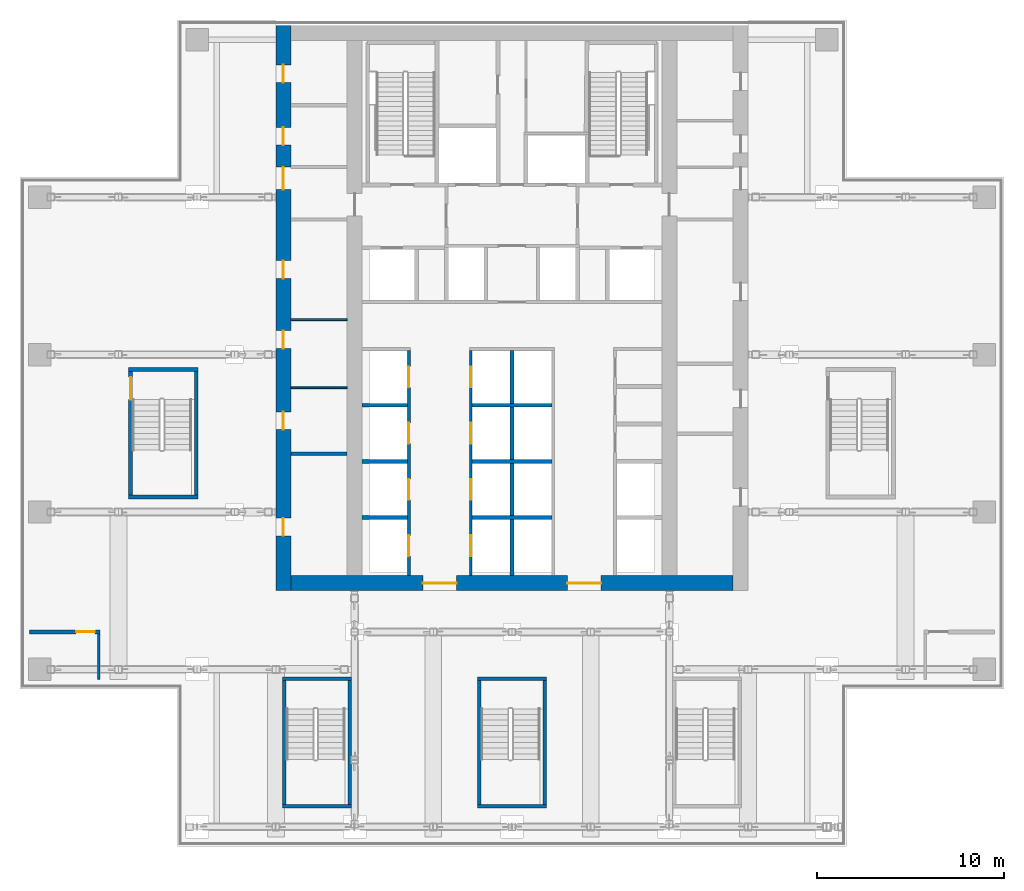
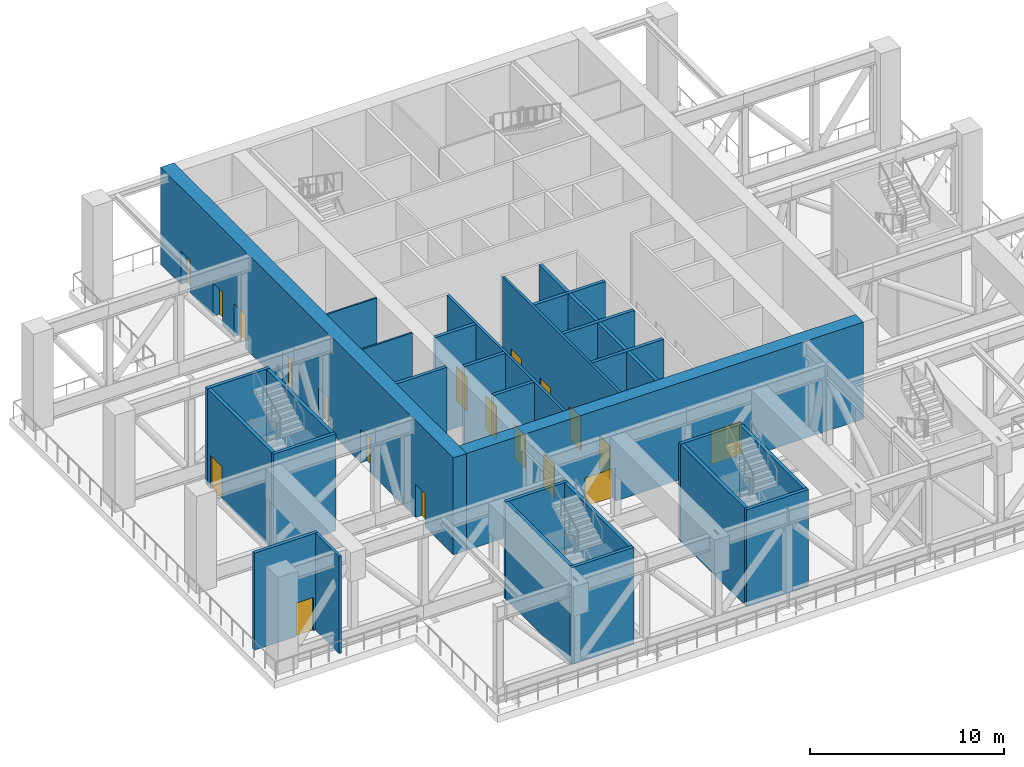
# One storey, part 16 of 23: 28 walls, 19 doors, 19 openings.
"""IFC4 building model written with IfcOpenShell, lengths in metres."""

from ifc_helpers import new_model, si_unit, direction, frame, frame_2d, origin, place, context, subcontext, project, spatial, rectangle, extrude, material, layer, layer_set, type_object, element, fill, save


model = new_model("IFC4")

# Units and contexts
model_context = context("Model", 3, precision=1e-05, world=origin(), true_north=direction((0.0, 1.0)))
body_context = subcontext(model_context, "Body", "Model", "MODEL_VIEW")
ifc_project = project(units=[si_unit("LENGTHUNIT", "METRE"), si_unit("AREAUNIT", "SQUARE_METRE"), si_unit("VOLUMEUNIT", "CUBIC_METRE"), si_unit("PLANEANGLEUNIT", "RADIAN"), si_unit("MASSUNIT", "GRAM", prefix="KILO")], contexts=[model_context])

# Site, building, storey
site_placement = place(None, origin())
site = spatial("IfcSite", under=ifc_project, at=site_placement, CompositionType="ELEMENT")
building_placement = place(site_placement, origin())
building = spatial("IfcBuilding", under=site, at=building_placement, Name="Vermilion Ogive Tower", CompositionType="ELEMENT")
storey_placement = place(building_placement, frame((0.0, 0.0, 121.800048828125)))
storey = spatial("IfcBuildingStorey", under=building, at=storey_placement, Name="L31", CompositionType="ELEMENT", Elevation=121.800048828125)

# Wall, openings, doors
ifc_material_1 = material(Name="Concrete B80", Category="concrete")
ifc_layer_1 = layer(ifc_material_1, 0.800048828125)
ifc_layer_set_1 = layer_set([ifc_layer_1], Name="Core wall 800 B80")
wall_type_1 = type_object("IfcWallType", Name="Core wall 800 B80", PredefinedType="SHEAR", material=ifc_layer_set_1)
wall_1_placement = place(storey_placement, frame((-12.199951171875, -8.39990234375, 0.0), z_axis=(0.0, 0.0, 1.0), x_axis=(0.0, 1.0, 0.0)))
wall_1 = element("IfcWall", 1, at=wall_1_placement, inside=storey, type_object=wall_type_1, Name="L31-CORE-W", PredefinedType="SHEAR", context=body_context, shape_type="SweptSolid", body=[
    extrude(rectangle(XDim=30.14990234375, YDim=0.800048828125, at=frame_2d((15.074951171875, 0.0))), origin(), (0.0, 0.0, 1.0), 6.099853515625),
])
opening_1_placement = place(wall_1_placement, frame((2.928466796875, 0.0, 0.0)))
opening_1 = element("IfcOpeningElement", 2, at=opening_1_placement, cuts=wall_1, Name="Opening DAT001", PredefinedType="OPENING", context=body_context, shape_type="SweptSolid", body=[
    extrude(rectangle(XDim=0.949951171875, YDim=2.10009765625, at=frame_2d((0.47509765625, 1.050048828125))), frame((0.0, 0.409912109375, 0.0), z_axis=(0.0, -1.0, 0.0), x_axis=(1.0, 0.0, 0.0)), (0.0, 0.0, 1.0), 0.820068359375),
])
opening_2_placement = place(wall_1_placement, frame((8.593505859375, 0.0, 0.0)))
opening_2 = element("IfcOpeningElement", 3, at=opening_2_placement, cuts=wall_1, Name="Opening DAT002", PredefinedType="OPENING", context=body_context, shape_type="SweptSolid", body=[
    extrude(rectangle(XDim=0.949951171875, YDim=2.10009765625, at=frame_2d((0.47509765625, 1.050048828125))), frame((0.0, 0.409912109375, 0.0), z_axis=(0.0, -1.0, 0.0), x_axis=(1.0, 0.0, 0.0)), (0.0, 0.0, 1.0), 0.820068359375),
])
opening_3_placement = place(wall_1_placement, frame((12.9208984375, 0.0, 0.0)))
opening_3 = element("IfcOpeningElement", 4, at=opening_3_placement, cuts=wall_1, Name="Opening DAT003", PredefinedType="OPENING", context=body_context, shape_type="SweptSolid", body=[
    extrude(rectangle(XDim=0.949951171875, YDim=2.10009765625, at=frame_2d((0.47509765625, 1.050048828125))), frame((0.0, 0.409912109375, 0.0), z_axis=(0.0, -1.0, 0.0), x_axis=(1.0, 0.0, 0.0)), (0.0, 0.0, 1.0), 0.820068359375),
])
opening_4_placement = place(wall_1_placement, frame((16.655517578125, 0.0, 0.0)))
opening_4 = element("IfcOpeningElement", 5, at=opening_4_placement, cuts=wall_1, Name="Opening DAT004", PredefinedType="OPENING", context=body_context, shape_type="SweptSolid", body=[
    extrude(rectangle(XDim=0.949951171875, YDim=2.10009765625, at=frame_2d((0.47509765625, 1.050048828125))), frame((0.0, 0.409912109375, 0.0), z_axis=(0.0, -1.0, 0.0), x_axis=(1.0, 0.0, 0.0)), (0.0, 0.0, 1.0), 0.820068359375),
])
opening_5_placement = place(wall_1_placement, frame((23.777099609375, 0.0, 0.0)))
opening_5 = element("IfcOpeningElement", 6, at=opening_5_placement, cuts=wall_1, Name="Opening DAT005", PredefinedType="OPENING", context=body_context, shape_type="SweptSolid", body=[
    extrude(rectangle(XDim=0.949951171875, YDim=2.10009765625, at=frame_2d((0.47509765625, 1.050048828125))), frame((0.0, 0.409912109375, 0.0), z_axis=(0.0, -1.0, 0.0), x_axis=(1.0, 0.0, 0.0)), (0.0, 0.0, 1.0), 0.820068359375),
])
opening_6_placement = place(wall_1_placement, frame((27.102294921875, 0.0, 0.0)))
opening_6 = element("IfcOpeningElement", 7, at=opening_6_placement, cuts=wall_1, Name="Opening DAT006", PredefinedType="OPENING", context=body_context, shape_type="SweptSolid", body=[
    extrude(rectangle(XDim=0.949951171875, YDim=2.10009765625, at=frame_2d((0.47509765625, 1.050048828125))), frame((0.0, 0.409912109375, 0.0), z_axis=(0.0, -1.0, 0.0), x_axis=(1.0, 0.0, 0.0)), (0.0, 0.0, 1.0), 0.820068359375),
])
opening_7_placement = place(wall_1_placement, frame((21.39990234375, 0.0, 0.0)))
opening_7 = element("IfcOpeningElement", 8, at=opening_7_placement, cuts=wall_1, Name="Opening DBV001", PredefinedType="OPENING", context=body_context, shape_type="SweptSolid", body=[
    extrude(rectangle(XDim=1.199951171875, YDim=2.10009765625, at=frame_2d((0.60009765625, 1.050048828125))), frame((0.0, 0.409912109375, 0.0), z_axis=(0.0, -1.0, 0.0), x_axis=(1.0, 0.0, 0.0)), (0.0, 0.0, 1.0), 0.820068359375),
])
ifc_material_2 = material(Name="Timber door leaf", Category="wood")
door_type_1 = type_object("IfcDoorType", Name="Link door 1200 x 2100 FD60S", OperationType="SINGLE_SWING_LEFT", PredefinedType="DOOR", material=ifc_material_2)
door_1_placement = place(opening_7_placement, origin())
door_1 = element("IfcDoor", 9, at=door_1_placement, inside=storey, type_object=door_type_1, Name="L31-CKW-XL", OperationType="SINGLE_SWING_LEFT", OverallHeight=2.10009765625, OverallWidth=1.199951171875, PredefinedType="DOOR", context=body_context, shape_type="SweptSolid", body=[
    extrude(rectangle(XDim=1.199951171875, YDim=2.10009765625, at=frame_2d((0.60009765625, 1.050048828125))), frame((0.0, 0.02490234375, 0.0), z_axis=(0.0, -1.0, 0.0), x_axis=(1.0, 0.0, 0.0)), (0.0, 0.0, 1.0), 0.050048828125),
])
fill(opening_7, door_1)
ifc_material_3 = material(Name="Timber door leaf", Category="wood")
door_type_2 = type_object("IfcDoorType", Name="Service door 950 x 2100 FD60", OperationType="SINGLE_SWING_LEFT", PredefinedType="DOOR", material=ifc_material_3)
door_2_placement = place(opening_1_placement, origin())
door_2 = element("IfcDoor", 10, at=door_2_placement, inside=storey, type_object=door_type_2, Name="L31-CKW-XR0", OperationType="SINGLE_SWING_LEFT", OverallHeight=2.10009765625, OverallWidth=0.949951171875, PredefinedType="DOOR", context=body_context, shape_type="SweptSolid", body=[
    extrude(rectangle(XDim=0.949951171875, YDim=2.10009765625, at=frame_2d((0.47509765625, 1.050048828125))), frame((0.0, 0.02490234375, 0.0), z_axis=(0.0, -1.0, 0.0), x_axis=(1.0, 0.0, 0.0)), (0.0, 0.0, 1.0), 0.050048828125),
])
fill(opening_1, door_2)
door_3_placement = place(opening_2_placement, origin())
door_3 = element("IfcDoor", 11, at=door_3_placement, inside=storey, type_object=door_type_2, Name="L31-CKW-XR1", OperationType="SINGLE_SWING_LEFT", OverallHeight=2.10009765625, OverallWidth=0.949951171875, PredefinedType="DOOR", context=body_context, shape_type="SweptSolid", body=[
    extrude(rectangle(XDim=0.949951171875, YDim=2.10009765625, at=frame_2d((0.47509765625, 1.050048828125))), frame((0.0, 0.02490234375, 0.0), z_axis=(0.0, -1.0, 0.0), x_axis=(1.0, 0.0, 0.0)), (0.0, 0.0, 1.0), 0.050048828125),
])
fill(opening_2, door_3)
door_4_placement = place(opening_3_placement, origin())
door_4 = element("IfcDoor", 12, at=door_4_placement, inside=storey, type_object=door_type_2, Name="L31-CKW-XR2", OperationType="SINGLE_SWING_LEFT", OverallHeight=2.10009765625, OverallWidth=0.949951171875, PredefinedType="DOOR", context=body_context, shape_type="SweptSolid", body=[
    extrude(rectangle(XDim=0.949951171875, YDim=2.10009765625, at=frame_2d((0.47509765625, 1.050048828125))), frame((0.0, 0.02490234375, 0.0), z_axis=(0.0, -1.0, 0.0), x_axis=(1.0, 0.0, 0.0)), (0.0, 0.0, 1.0), 0.050048828125),
])
fill(opening_3, door_4)
door_5_placement = place(opening_4_placement, origin())
door_5 = element("IfcDoor", 13, at=door_5_placement, inside=storey, type_object=door_type_2, Name="L31-CKW-XR3", OperationType="SINGLE_SWING_LEFT", OverallHeight=2.10009765625, OverallWidth=0.949951171875, PredefinedType="DOOR", context=body_context, shape_type="SweptSolid", body=[
    extrude(rectangle(XDim=0.949951171875, YDim=2.10009765625, at=frame_2d((0.47509765625, 1.050048828125))), frame((0.0, 0.02490234375, 0.0), z_axis=(0.0, -1.0, 0.0), x_axis=(1.0, 0.0, 0.0)), (0.0, 0.0, 1.0), 0.050048828125),
])
fill(opening_4, door_5)
door_6_placement = place(opening_5_placement, origin())
door_6 = element("IfcDoor", 14, at=door_6_placement, inside=storey, type_object=door_type_2, Name="L31-CKW-XR4", OperationType="SINGLE_SWING_LEFT", OverallHeight=2.10009765625, OverallWidth=0.949951171875, PredefinedType="DOOR", context=body_context, shape_type="SweptSolid", body=[
    extrude(rectangle(XDim=0.949951171875, YDim=2.10009765625, at=frame_2d((0.47509765625, 1.050048828125))), frame((0.0, 0.02490234375, 0.0), z_axis=(0.0, -1.0, 0.0), x_axis=(1.0, 0.0, 0.0)), (0.0, 0.0, 1.0), 0.050048828125),
])
fill(opening_5, door_6)
door_7_placement = place(opening_6_placement, origin())
door_7 = element("IfcDoor", 15, at=door_7_placement, inside=storey, type_object=door_type_2, Name="L31-CKW-XR5", OperationType="SINGLE_SWING_LEFT", OverallHeight=2.10009765625, OverallWidth=0.949951171875, PredefinedType="DOOR", context=body_context, shape_type="SweptSolid", body=[
    extrude(rectangle(XDim=0.949951171875, YDim=2.10009765625, at=frame_2d((0.47509765625, 1.050048828125))), frame((0.0, 0.02490234375, 0.0), z_axis=(0.0, -1.0, 0.0), x_axis=(1.0, 0.0, 0.0)), (0.0, 0.0, 1.0), 0.050048828125),
])
fill(opening_6, door_7)

wall_2_placement = place(storey_placement, frame((-11.800048828125, -8.0, 0.0), z_axis=(0.0, 0.0, 1.0), x_axis=(1.0, 0.0, 0.0)))
wall_2 = element("IfcWall", 16, at=wall_2_placement, inside=storey, type_object=wall_type_1, Name="L31-CORE-S", PredefinedType="SHEAR", context=body_context, shape_type="SweptSolid", body=[
    extrude(rectangle(XDim=23.60009765625, YDim=0.800048828125, at=frame_2d((11.800048828125, 0.0))), origin(), (0.0, 0.0, 1.0), 6.099853515625),
])
opening_8_placement = place(wall_2_placement, frame((7.050048828125, 0.0, 0.0)))
opening_8 = element("IfcOpeningElement", 17, at=opening_8_placement, cuts=wall_2, Name="Opening DBJ001", PredefinedType="OPENING", context=body_context, shape_type="SweptSolid", body=[
    extrude(rectangle(XDim=1.800048828125, YDim=2.10009765625, at=frame_2d((0.89990234375, 1.050048828125))), frame((0.0, 0.409912109375, 0.0), z_axis=(0.0, -1.0, 0.0), x_axis=(1.0, 0.0, 0.0)), (0.0, 0.0, 1.0), 0.820068359375),
])
opening_9_placement = place(wall_2_placement, frame((14.75, 0.0, 0.0)))
opening_9 = element("IfcOpeningElement", 18, at=opening_9_placement, cuts=wall_2, Name="Opening DBJ002", PredefinedType="OPENING", context=body_context, shape_type="SweptSolid", body=[
    extrude(rectangle(XDim=1.800048828125, YDim=2.10009765625, at=frame_2d((0.89990234375, 1.050048828125))), frame((0.0, 0.409912109375, 0.0), z_axis=(0.0, -1.0, 0.0), x_axis=(1.0, 0.0, 0.0)), (0.0, 0.0, 1.0), 0.820068359375),
])
ifc_material_4 = material(Name="Timber door leaf", Category="wood")
door_type_3 = type_object("IfcDoorType", Name="Core entry door 1800 x 2100 FD60S", OperationType="DOUBLE_DOOR_SINGLE_SWING", PredefinedType="DOOR", material=ifc_material_4)
door_8_placement = place(opening_8_placement, origin())
door_8 = element("IfcDoor", 19, at=door_8_placement, inside=storey, type_object=door_type_3, Name="L31-CK-XD1", OperationType="SINGLE_SWING_LEFT", OverallHeight=2.10009765625, OverallWidth=1.800048828125, PredefinedType="DOOR", context=body_context, shape_type="SweptSolid", body=[
    extrude(rectangle(XDim=1.800048828125, YDim=2.10009765625, at=frame_2d((0.89990234375, 1.050048828125))), frame((0.0, 0.02490234375, 0.0), z_axis=(0.0, -1.0, 0.0), x_axis=(1.0, 0.0, 0.0)), (0.0, 0.0, 1.0), 0.050048828125),
])
fill(opening_8, door_8)
door_9_placement = place(opening_9_placement, origin())
door_9 = element("IfcDoor", 20, at=door_9_placement, inside=storey, type_object=door_type_3, Name="L31-CK-XD2", OperationType="SINGLE_SWING_LEFT", OverallHeight=2.10009765625, OverallWidth=1.800048828125, PredefinedType="DOOR", context=body_context, shape_type="SweptSolid", body=[
    extrude(rectangle(XDim=1.800048828125, YDim=2.10009765625, at=frame_2d((0.89990234375, 1.050048828125))), frame((0.0, 0.02490234375, 0.0), z_axis=(0.0, -1.0, 0.0), x_axis=(1.0, 0.0, 0.0)), (0.0, 0.0, 1.0), 0.050048828125),
])
fill(opening_9, door_9)

# Walls
ifc_material_5 = material(Name="Gypsum board partition on steel studs", Category="steel")
ifc_layer_2 = layer(ifc_material_5, 0.10009765625)
ifc_layer_set_2 = layer_set([ifc_layer_2], Name="Partition 100 bath")
wall_type_2 = type_object("IfcWallType", Name="Partition 100 bath", PredefinedType="PARTITIONING", material=ifc_layer_set_2)
for number, where, z_axis, x_axis, name in (
    (21, (-11.799072265625, 2.430908203125, 0.0), (0.0, 0.0, 1.0), (1.0, 0.0, 0.0), "L31-CKW-W-W002"),
    (22, (-11.799072265625, 6.06103515625, 0.0), (0.0, 0.0, 1.0), (1.0, 0.0, 0.0), "L31-CKW-W-W003"),
):
    element("IfcWall", number, at=place(storey_placement, frame(where, z_axis=z_axis, x_axis=x_axis)), inside=storey, type_object=wall_type_2, Name=name, PredefinedType="PARTITIONING", context=body_context, shape_type="SweptSolid", body=[
        extrude(rectangle(XDim=2.998046875, YDim=0.10009765625, at=frame_2d((1.4990234375, 0.0))), origin(), (0.0, 0.0, 1.0), 6.099853515625),
    ])
ifc_material_6 = material(Name="Gypsum board partition on steel studs", Category="steel")
ifc_layer_3 = layer(ifc_material_6, 0.14990234375)
ifc_layer_set_3 = layer_set([ifc_layer_3], Name="Partition 150 corridor")
wall_type_3 = type_object("IfcWallType", Name="Partition 150 corridor", PredefinedType="PARTITIONING", material=ifc_layer_set_3)
wall_3_placement = place(storey_placement, frame((-22.050048828125, -13.14990234375, 0.0), z_axis=(0.0, 0.0, 1.0), x_axis=(0.0, 1.0, 0.0)))
element("IfcWall", 23, at=wall_3_placement, inside=storey, type_object=wall_type_3, Name="L31-FS-W-W003", PredefinedType="PARTITIONING", context=body_context, shape_type="SweptSolid", body=[
    extrude(rectangle(XDim=2.449951171875, YDim=0.14990234375, at=frame_2d((1.22509765625, 0.0))), origin(), (0.0, 0.0, 1.0), 6.099853515625),
])

# Wall, openings, doors
wall_4_placement = place(storey_placement, frame((-5.5, -7.59912109375, 0.0), z_axis=(0.0, 0.0, 1.0), x_axis=(0.0, 1.0, 0.0)))
wall_4 = element("IfcWall", 24, at=wall_4_placement, inside=storey, type_object=wall_type_3, Name="L31-CK-W-W023", PredefinedType="PARTITIONING", context=body_context, shape_type="SweptSolid", body=[
    extrude(rectangle(XDim=12.024169921875, YDim=0.14990234375, at=frame_2d((6.01220703125, 0.0))), origin(), (0.0, 0.0, 1.0), 6.099853515625),
])
opening_10_placement = place(wall_4_placement, frame((1.049072265625, 0.0, 0.0)))
opening_10 = element("IfcOpeningElement", 25, at=opening_10_placement, cuts=wall_4, Name="Opening DAI013", PredefinedType="OPENING", context=body_context, shape_type="SweptSolid", body=[
    extrude(rectangle(XDim=1.10009765625, YDim=2.10009765625, at=frame_2d((0.550048828125, 1.050048828125))), frame((0.0, 0.0849609375, 0.0), z_axis=(0.0, -1.0, 0.0), x_axis=(1.0, 0.0, 0.0)), (0.0, 0.0, 1.0), 0.169921875),
])
opening_11_placement = place(wall_4_placement, frame((4.049072265625, 0.0, 0.0)))
opening_11 = element("IfcOpeningElement", 26, at=opening_11_placement, cuts=wall_4, Name="Opening DAI016", PredefinedType="OPENING", context=body_context, shape_type="SweptSolid", body=[
    extrude(rectangle(XDim=1.10009765625, YDim=2.10009765625, at=frame_2d((0.550048828125, 1.050048828125))), frame((0.0, 0.0849609375, 0.0), z_axis=(0.0, -1.0, 0.0), x_axis=(1.0, 0.0, 0.0)), (0.0, 0.0, 1.0), 0.169921875),
])
opening_12_placement = place(wall_4_placement, frame((7.049072265625, 0.0, 0.0)))
opening_12 = element("IfcOpeningElement", 27, at=opening_12_placement, cuts=wall_4, Name="Opening DAI017", PredefinedType="OPENING", context=body_context, shape_type="SweptSolid", body=[
    extrude(rectangle(XDim=1.10009765625, YDim=2.10009765625, at=frame_2d((0.550048828125, 1.050048828125))), frame((0.0, 0.0849609375, 0.0), z_axis=(0.0, -1.0, 0.0), x_axis=(1.0, 0.0, 0.0)), (0.0, 0.0, 1.0), 0.169921875),
])
opening_13_placement = place(wall_4_placement, frame((10.049072265625, 0.0, 0.0)))
opening_13 = element("IfcOpeningElement", 28, at=opening_13_placement, cuts=wall_4, Name="Opening DAI018", PredefinedType="OPENING", context=body_context, shape_type="SweptSolid", body=[
    extrude(rectangle(XDim=1.10009765625, YDim=2.10009765625, at=frame_2d((0.550048828125, 1.050048828125))), frame((0.0, 0.0849609375, 0.0), z_axis=(0.0, -1.0, 0.0), x_axis=(1.0, 0.0, 0.0)), (0.0, 0.0, 1.0), 0.169921875),
])
ifc_material_7 = material(Name="Stainless steel", Category="steel")
door_type_4 = type_object("IfcDoorType", Name="Lift landing door 1100 x 2100", OperationType="SLIDING_TO_LEFT", PredefinedType="DOOR", material=ifc_material_7)
door_10_placement = place(opening_10_placement, origin())
door_10 = element("IfcDoor", 29, at=door_10_placement, inside=storey, type_object=door_type_4, Name="L31-CK-D-D001", OperationType="SLIDING_TO_LEFT", OverallHeight=2.10009765625, OverallWidth=1.10009765625, PredefinedType="DOOR", context=body_context, shape_type="SweptSolid", body=[
    extrude(rectangle(XDim=1.10009765625, YDim=2.10009765625, at=frame_2d((0.550048828125, 1.050048828125))), frame((0.0, 0.02490234375, 0.0), z_axis=(0.0, -1.0, 0.0), x_axis=(1.0, 0.0, 0.0)), (0.0, 0.0, 1.0), 0.050048828125),
])
fill(opening_10, door_10)
door_11_placement = place(opening_11_placement, origin())
door_11 = element("IfcDoor", 30, at=door_11_placement, inside=storey, type_object=door_type_4, Name="L31-CK-D-D002", OperationType="SLIDING_TO_LEFT", OverallHeight=2.10009765625, OverallWidth=1.10009765625, PredefinedType="DOOR", context=body_context, shape_type="SweptSolid", body=[
    extrude(rectangle(XDim=1.10009765625, YDim=2.10009765625, at=frame_2d((0.550048828125, 1.050048828125))), frame((0.0, 0.02490234375, 0.0), z_axis=(0.0, -1.0, 0.0), x_axis=(1.0, 0.0, 0.0)), (0.0, 0.0, 1.0), 0.050048828125),
])
fill(opening_11, door_11)
door_12_placement = place(opening_12_placement, origin())
door_12 = element("IfcDoor", 31, at=door_12_placement, inside=storey, type_object=door_type_4, Name="L31-CK-D-D003", OperationType="SLIDING_TO_LEFT", OverallHeight=2.10009765625, OverallWidth=1.10009765625, PredefinedType="DOOR", context=body_context, shape_type="SweptSolid", body=[
    extrude(rectangle(XDim=1.10009765625, YDim=2.10009765625, at=frame_2d((0.550048828125, 1.050048828125))), frame((0.0, 0.02490234375, 0.0), z_axis=(0.0, -1.0, 0.0), x_axis=(1.0, 0.0, 0.0)), (0.0, 0.0, 1.0), 0.050048828125),
])
fill(opening_12, door_12)
door_13_placement = place(opening_13_placement, origin())
door_13 = element("IfcDoor", 32, at=door_13_placement, inside=storey, type_object=door_type_4, Name="L31-CK-D-D004", OperationType="SLIDING_TO_LEFT", OverallHeight=2.10009765625, OverallWidth=1.10009765625, PredefinedType="DOOR", context=body_context, shape_type="SweptSolid", body=[
    extrude(rectangle(XDim=1.10009765625, YDim=2.10009765625, at=frame_2d((0.550048828125, 1.050048828125))), frame((0.0, 0.02490234375, 0.0), z_axis=(0.0, -1.0, 0.0), x_axis=(1.0, 0.0, 0.0)), (0.0, 0.0, 1.0), 0.050048828125),
])
fill(opening_13, door_13)

wall_5_placement = place(storey_placement, frame((-2.199951171875, -7.59912109375, 0.0), z_axis=(0.0, 0.0, 1.0), x_axis=(0.0, 1.0, 0.0)))
wall_5 = element("IfcWall", 33, at=wall_5_placement, inside=storey, type_object=wall_type_3, Name="L31-CK-W-W028", PredefinedType="PARTITIONING", context=body_context, shape_type="SweptSolid", body=[
    extrude(rectangle(XDim=12.024169921875, YDim=0.14990234375, at=frame_2d((6.01220703125, 0.0))), origin(), (0.0, 0.0, 1.0), 6.099853515625),
])
opening_14_placement = place(wall_5_placement, frame((1.049072265625, 0.0, 0.0)))
opening_14 = element("IfcOpeningElement", 34, at=opening_14_placement, cuts=wall_5, Name="Opening DAI019", PredefinedType="OPENING", context=body_context, shape_type="SweptSolid", body=[
    extrude(rectangle(XDim=1.10009765625, YDim=2.10009765625, at=frame_2d((0.550048828125, 1.050048828125))), frame((0.0, 0.0849609375, 0.0), z_axis=(0.0, -1.0, 0.0), x_axis=(1.0, 0.0, 0.0)), (0.0, 0.0, 1.0), 0.169921875),
])
opening_15_placement = place(wall_5_placement, frame((4.049072265625, 0.0, 0.0)))
opening_15 = element("IfcOpeningElement", 35, at=opening_15_placement, cuts=wall_5, Name="Opening DAI020", PredefinedType="OPENING", context=body_context, shape_type="SweptSolid", body=[
    extrude(rectangle(XDim=1.10009765625, YDim=2.10009765625, at=frame_2d((0.550048828125, 1.050048828125))), frame((0.0, 0.0849609375, 0.0), z_axis=(0.0, -1.0, 0.0), x_axis=(1.0, 0.0, 0.0)), (0.0, 0.0, 1.0), 0.169921875),
])
opening_16_placement = place(wall_5_placement, frame((7.049072265625, 0.0, 0.0)))
opening_16 = element("IfcOpeningElement", 36, at=opening_16_placement, cuts=wall_5, Name="Opening DAI021", PredefinedType="OPENING", context=body_context, shape_type="SweptSolid", body=[
    extrude(rectangle(XDim=1.10009765625, YDim=2.10009765625, at=frame_2d((0.550048828125, 1.050048828125))), frame((0.0, 0.0849609375, 0.0), z_axis=(0.0, -1.0, 0.0), x_axis=(1.0, 0.0, 0.0)), (0.0, 0.0, 1.0), 0.169921875),
])
opening_17_placement = place(wall_5_placement, frame((10.049072265625, 0.0, 0.0)))
opening_17 = element("IfcOpeningElement", 37, at=opening_17_placement, cuts=wall_5, Name="Opening DAI022", PredefinedType="OPENING", context=body_context, shape_type="SweptSolid", body=[
    extrude(rectangle(XDim=1.10009765625, YDim=2.10009765625, at=frame_2d((0.550048828125, 1.050048828125))), frame((0.0, 0.0849609375, 0.0), z_axis=(0.0, -1.0, 0.0), x_axis=(1.0, 0.0, 0.0)), (0.0, 0.0, 1.0), 0.169921875),
])
door_14_placement = place(opening_14_placement, origin())
door_14 = element("IfcDoor", 38, at=door_14_placement, inside=storey, type_object=door_type_4, Name="L31-CK-D-D005", OperationType="SLIDING_TO_LEFT", OverallHeight=2.10009765625, OverallWidth=1.10009765625, PredefinedType="DOOR", context=body_context, shape_type="SweptSolid", body=[
    extrude(rectangle(XDim=1.10009765625, YDim=2.10009765625, at=frame_2d((0.550048828125, 1.050048828125))), frame((0.0, 0.02490234375, 0.0), z_axis=(0.0, -1.0, 0.0), x_axis=(1.0, 0.0, 0.0)), (0.0, 0.0, 1.0), 0.050048828125),
])
fill(opening_14, door_14)
door_15_placement = place(opening_15_placement, origin())
door_15 = element("IfcDoor", 39, at=door_15_placement, inside=storey, type_object=door_type_4, Name="L31-CK-D-D006", OperationType="SLIDING_TO_LEFT", OverallHeight=2.10009765625, OverallWidth=1.10009765625, PredefinedType="DOOR", context=body_context, shape_type="SweptSolid", body=[
    extrude(rectangle(XDim=1.10009765625, YDim=2.10009765625, at=frame_2d((0.550048828125, 1.050048828125))), frame((0.0, 0.02490234375, 0.0), z_axis=(0.0, -1.0, 0.0), x_axis=(1.0, 0.0, 0.0)), (0.0, 0.0, 1.0), 0.050048828125),
])
fill(opening_15, door_15)
door_16_placement = place(opening_16_placement, origin())
door_16 = element("IfcDoor", 40, at=door_16_placement, inside=storey, type_object=door_type_4, Name="L31-CK-D-D007", OperationType="SLIDING_TO_LEFT", OverallHeight=2.10009765625, OverallWidth=1.10009765625, PredefinedType="DOOR", context=body_context, shape_type="SweptSolid", body=[
    extrude(rectangle(XDim=1.10009765625, YDim=2.10009765625, at=frame_2d((0.550048828125, 1.050048828125))), frame((0.0, 0.02490234375, 0.0), z_axis=(0.0, -1.0, 0.0), x_axis=(1.0, 0.0, 0.0)), (0.0, 0.0, 1.0), 0.050048828125),
])
fill(opening_16, door_16)
door_17_placement = place(opening_17_placement, origin())
door_17 = element("IfcDoor", 41, at=door_17_placement, inside=storey, type_object=door_type_4, Name="L31-CK-D-D008", OperationType="SLIDING_TO_LEFT", OverallHeight=2.10009765625, OverallWidth=1.10009765625, PredefinedType="DOOR", context=body_context, shape_type="SweptSolid", body=[
    extrude(rectangle(XDim=1.10009765625, YDim=2.10009765625, at=frame_2d((0.550048828125, 1.050048828125))), frame((0.0, 0.02490234375, 0.0), z_axis=(0.0, -1.0, 0.0), x_axis=(1.0, 0.0, 0.0)), (0.0, 0.0, 1.0), 0.050048828125),
])
fill(opening_17, door_17)

# Wall, opening, door
ifc_material_8 = material(Name="Gypsum board partition on steel studs", Category="steel")
ifc_layer_4 = layer(ifc_material_8, 0.199951171875)
ifc_layer_set_4 = layer_set([ifc_layer_4], Name="Partition 200 party")
wall_type_4 = type_object("IfcWallType", Name="Partition 200 party", PredefinedType="PARTITIONING", material=ifc_layer_set_4)
wall_6_placement = place(storey_placement, frame((-25.75, -10.60009765625, 0.0), z_axis=(0.0, 0.0, 1.0), x_axis=(1.0, 0.0, 0.0)))
wall_6 = element("IfcWall", 42, at=wall_6_placement, inside=storey, type_object=wall_type_4, Name="L31-FS-W-W001", PredefinedType="PARTITIONING", context=body_context, shape_type="SweptSolid", body=[
    extrude(rectangle(XDim=3.77490234375, YDim=0.199951171875, at=frame_2d((1.887451171875, 0.0))), origin(), (0.0, 0.0, 1.0), 6.099853515625),
])
opening_18_placement = place(wall_6_placement, frame((2.5, 0.0, 0.0)))
opening_18 = element("IfcOpeningElement", 43, at=opening_18_placement, cuts=wall_6, Name="Opening L31S001", PredefinedType="OPENING", context=body_context, shape_type="SweptSolid", body=[
    extrude(rectangle(XDim=1.0, YDim=2.10009765625, at=frame_2d((0.5, 1.050048828125))), frame((0.0, 0.10986328125, 0.0), z_axis=(0.0, -1.0, 0.0), x_axis=(1.0, 0.0, 0.0)), (0.0, 0.0, 1.0), 0.219970703125),
])
ifc_material_9 = material(Name="Timber door leaf", Category="wood")
door_type_5 = type_object("IfcDoorType", Name="Fire door 1000 x 2100 FD30", OperationType="SINGLE_SWING_LEFT", PredefinedType="DOOR", material=ifc_material_9)
door_18_placement = place(opening_18_placement, origin())
door_18 = element("IfcDoor", 44, at=door_18_placement, inside=storey, type_object=door_type_5, Name="L31-FS-D-D001", OperationType="SINGLE_SWING_LEFT", OverallHeight=2.10009765625, OverallWidth=1.0, PredefinedType="DOOR", context=body_context, shape_type="SweptSolid", body=[
    extrude(rectangle(XDim=1.0, YDim=2.10009765625, at=frame_2d((0.5, 1.050048828125))), frame((0.0, 0.02490234375, 0.0), z_axis=(0.0, -1.0, 0.0), x_axis=(1.0, 0.0, 0.0)), (0.0, 0.0, 1.0), 0.050048828125),
])
fill(opening_18, door_18)

# Walls
wall_7_placement = place(storey_placement, frame((-7.9990234375, -4.5, 0.0), z_axis=(0.0, 0.0, 1.0), x_axis=(1.0, 0.0, 0.0)))
element("IfcWall", 45, at=wall_7_placement, inside=storey, type_object=wall_type_4, Name="L31-CK-W-W001", PredefinedType="PARTITIONING", context=body_context, shape_type="SweptSolid", body=[
    extrude(rectangle(XDim=2.424072265625, YDim=0.199951171875, at=frame_2d((1.2119140625, 0.0))), origin(), (0.0, 0.0, 1.0), 6.099853515625),
])
wall_8_placement = place(storey_placement, frame((-2.125, -4.5, 0.0), z_axis=(0.0, 0.0, 1.0), x_axis=(1.0, 0.0, 0.0)))
element("IfcWall", 46, at=wall_8_placement, inside=storey, type_object=wall_type_4, Name="L31-CK-W-W002", PredefinedType="PARTITIONING", context=body_context, shape_type="SweptSolid", body=[
    extrude(rectangle(XDim=4.25, YDim=0.199951171875, at=frame_2d((2.125, 0.0))), origin(), (0.0, 0.0, 1.0), 6.099853515625),
])
wall_9_placement = place(storey_placement, frame((-7.9990234375, -1.5, 0.0), z_axis=(0.0, 0.0, 1.0), x_axis=(1.0, 0.0, 0.0)))
element("IfcWall", 47, at=wall_9_placement, inside=storey, type_object=wall_type_4, Name="L31-CK-W-W004", PredefinedType="PARTITIONING", context=body_context, shape_type="SweptSolid", body=[
    extrude(rectangle(XDim=2.424072265625, YDim=0.199951171875, at=frame_2d((1.2119140625, 0.0))), origin(), (0.0, 0.0, 1.0), 6.099853515625),
])
wall_10_placement = place(storey_placement, frame((-2.125, -1.5, 0.0), z_axis=(0.0, 0.0, 1.0), x_axis=(1.0, 0.0, 0.0)))
element("IfcWall", 48, at=wall_10_placement, inside=storey, type_object=wall_type_4, Name="L31-CK-W-W005", PredefinedType="PARTITIONING", context=body_context, shape_type="SweptSolid", body=[
    extrude(rectangle(XDim=4.25, YDim=0.199951171875, at=frame_2d((2.125, 0.0))), origin(), (0.0, 0.0, 1.0), 6.099853515625),
])
wall_11_placement = place(storey_placement, frame((-7.9990234375, 1.5, 0.0), z_axis=(0.0, 0.0, 1.0), x_axis=(1.0, 0.0, 0.0)))
element("IfcWall", 49, at=wall_11_placement, inside=storey, type_object=wall_type_4, Name="L31-CK-W-W008", PredefinedType="PARTITIONING", context=body_context, shape_type="SweptSolid", body=[
    extrude(rectangle(XDim=2.424072265625, YDim=0.199951171875, at=frame_2d((1.2119140625, 0.0))), origin(), (0.0, 0.0, 1.0), 6.099853515625),
])
wall_12_placement = place(storey_placement, frame((-2.125, 1.5, 0.0), z_axis=(0.0, 0.0, 1.0), x_axis=(1.0, 0.0, 0.0)))
element("IfcWall", 50, at=wall_12_placement, inside=storey, type_object=wall_type_4, Name="L31-CK-W-W009", PredefinedType="PARTITIONING", context=body_context, shape_type="SweptSolid", body=[
    extrude(rectangle(XDim=4.25, YDim=0.199951171875, at=frame_2d((2.125, 0.0))), origin(), (0.0, 0.0, 1.0), 6.099853515625),
])
wall_13_placement = place(storey_placement, frame((0.0, -7.59912109375, 0.0), z_axis=(0.0, 0.0, 1.0), x_axis=(0.0, 1.0, 0.0)))
element("IfcWall", 51, at=wall_13_placement, inside=storey, type_object=wall_type_4, Name="L31-CK-W-W031", PredefinedType="PARTITIONING", context=body_context, shape_type="SweptSolid", body=[
    extrude(rectangle(XDim=12.024169921875, YDim=0.199951171875, at=frame_2d((6.01220703125, 0.0))), origin(), (0.0, 0.0, 1.0), 6.099853515625),
])
wall_14_placement = place(storey_placement, frame((-11.799072265625, -1.093017578125, 0.0), z_axis=(0.0, 0.0, 1.0), x_axis=(1.0, 0.0, 0.0)))
element("IfcWall", 52, at=wall_14_placement, inside=storey, type_object=wall_type_4, Name="L31-CKW-W-W001", PredefinedType="PARTITIONING", context=body_context, shape_type="SweptSolid", body=[
    extrude(rectangle(XDim=2.998046875, YDim=0.199951171875, at=frame_2d((1.4990234375, 0.0))), origin(), (0.0, 0.0, 1.0), 6.099853515625),
])
ifc_material_10 = material(Name="Concrete B60", Category="concrete")
ifc_layer_5 = layer(ifc_material_10, 0.199951171875)
ifc_layer_set_5 = layer_set([ifc_layer_5], Name="Stair shaft wall 200 Concrete B60")
wall_type_5 = type_object("IfcWallType", Name="Stair shaft wall 200 Concrete B60", PredefinedType="SOLIDWALL", material=ifc_layer_set_5)
for number, where, z_axis, x_axis, name in (
    (53, (-12.25, -19.89990234375, 0.0), (0.0, 0.0, 1.0), (1.0, 0.0, 0.0), "L31-SW-ST3-S1"),
    (54, (-12.25, -13.10009765625, 0.0), (0.0, 0.0, 1.0), (1.0, 0.0, 0.0), "L31-SW-ST3-N1"),
):
    element("IfcWall", number, at=place(storey_placement, frame(where, z_axis=z_axis, x_axis=x_axis)), inside=storey, type_object=wall_type_5, Name=name, PredefinedType="SOLIDWALL", context=body_context, shape_type="SweptSolid", body=[
        extrude(rectangle(XDim=3.699951171875, YDim=0.199951171875, at=frame_2d((1.85009765625, 0.0))), origin(), (0.0, 0.0, 1.0), 6.099853515625),
    ])
for number, where, z_axis, x_axis, name in (
    (55, (-12.14990234375, -19.800048828125, 0.0), (0.0, 0.0, 1.0), (0.0, 1.0, 0.0), "L31-SW-ST3-W1"),
    (56, (-8.64990234375, -19.800048828125, 0.0), (0.0, 0.0, 1.0), (0.0, 1.0, 0.0), "L31-SW-ST3-E1"),
):
    element("IfcWall", number, at=place(storey_placement, frame(where, z_axis=z_axis, x_axis=x_axis)), inside=storey, type_object=wall_type_5, Name=name, PredefinedType="SOLIDWALL", context=body_context, shape_type="SweptSolid", body=[
        extrude(rectangle(XDim=6.60009765625, YDim=0.199951171875, at=frame_2d((3.300048828125, 0.0))), origin(), (0.0, 0.0, 1.0), 6.099853515625),
    ])
for number, where, z_axis, x_axis, name in (
    (57, (-1.85009765625, -19.89990234375, 0.0), (0.0, 0.0, 1.0), (1.0, 0.0, 0.0), "L31-SW-ST4-S1"),
    (58, (-1.85009765625, -13.10009765625, 0.0), (0.0, 0.0, 1.0), (1.0, 0.0, 0.0), "L31-SW-ST4-N1"),
):
    element("IfcWall", number, at=place(storey_placement, frame(where, z_axis=z_axis, x_axis=x_axis)), inside=storey, type_object=wall_type_5, Name=name, PredefinedType="SOLIDWALL", context=body_context, shape_type="SweptSolid", body=[
        extrude(rectangle(XDim=3.7001953125, YDim=0.199951171875, at=frame_2d((1.85009765625, 0.0))), origin(), (0.0, 0.0, 1.0), 6.099853515625),
    ])
for number, where, z_axis, x_axis, name in (
    (59, (-1.75, -19.800048828125, 0.0), (0.0, 0.0, 1.0), (0.0, 1.0, 0.0), "L31-SW-ST4-W1"),
    (60, (1.75, -19.800048828125, 0.0), (0.0, 0.0, 1.0), (0.0, 1.0, 0.0), "L31-SW-ST4-E1"),
):
    element("IfcWall", number, at=place(storey_placement, frame(where, z_axis=z_axis, x_axis=x_axis)), inside=storey, type_object=wall_type_5, Name=name, PredefinedType="SOLIDWALL", context=body_context, shape_type="SweptSolid", body=[
        extrude(rectangle(XDim=6.60009765625, YDim=0.199951171875, at=frame_2d((3.300048828125, 0.0))), origin(), (0.0, 0.0, 1.0), 6.099853515625),
    ])
for number, where, z_axis, x_axis, name in (
    (61, (-20.449951171875, -3.39990234375, 0.0), (0.0, 0.0, 1.0), (1.0, 0.0, 0.0), "L31-SW-ST9-S1"),
    (62, (-20.449951171875, 3.39990234375, 0.0), (0.0, 0.0, 1.0), (1.0, 0.0, 0.0), "L31-SW-ST9-N1"),
):
    element("IfcWall", number, at=place(storey_placement, frame(where, z_axis=z_axis, x_axis=x_axis)), inside=storey, type_object=wall_type_5, Name=name, PredefinedType="SOLIDWALL", context=body_context, shape_type="SweptSolid", body=[
        extrude(rectangle(XDim=3.699951171875, YDim=0.199951171875, at=frame_2d((1.85009765625, 0.0))), origin(), (0.0, 0.0, 1.0), 6.099853515625),
    ])

# Wall, opening, door
wall_15_placement = place(storey_placement, frame((-20.35009765625, -3.300048828125, 0.0), z_axis=(0.0, 0.0, 1.0), x_axis=(0.0, 1.0, 0.0)))
wall_15 = element("IfcWall", 63, at=wall_15_placement, inside=storey, type_object=wall_type_5, Name="L31-SW-ST9-W1", PredefinedType="SOLIDWALL", context=body_context, shape_type="SweptSolid", body=[
    extrude(rectangle(XDim=6.60009765625, YDim=0.199951171875, at=frame_2d((3.300048828125, 0.0))), origin(), (0.0, 0.0, 1.0), 6.099853515625),
])
opening_19_placement = place(wall_15_placement, frame((5.10009765625, 0.0, 0.0)))
opening_19 = element("IfcOpeningElement", 64, at=opening_19_placement, cuts=wall_15, Name="Opening DBK002", PredefinedType="OPENING", context=body_context, shape_type="SweptSolid", body=[
    extrude(rectangle(XDim=1.199951171875, YDim=2.10009765625, at=frame_2d((0.60009765625, 1.050048828125))), frame((0.0, 0.10986328125, 0.0), z_axis=(0.0, -1.0, 0.0), x_axis=(1.0, 0.0, 0.0)), (0.0, 0.0, 1.0), 0.219970703125),
])
ifc_material_11 = material(Name="Timber door leaf", Category="wood")
door_type_6 = type_object("IfcDoorType", Name="Stair door 1200 x 2100 FD60S", OperationType="SINGLE_SWING_LEFT", PredefinedType="DOOR", material=ifc_material_11)
door_19_placement = place(opening_19_placement, origin())
door_19 = element("IfcDoor", 65, at=door_19_placement, inside=storey, type_object=door_type_6, Name="Stair door ST9", OperationType="SINGLE_SWING_LEFT", OverallHeight=2.10009765625, OverallWidth=1.199951171875, PredefinedType="DOOR", context=body_context, shape_type="SweptSolid", body=[
    extrude(rectangle(XDim=1.199951171875, YDim=2.10009765625, at=frame_2d((0.60009765625, 1.050048828125))), frame((0.0, 0.02490234375, 0.0), z_axis=(0.0, -1.0, 0.0), x_axis=(1.0, 0.0, 0.0)), (0.0, 0.0, 1.0), 0.050048828125),
])
fill(opening_19, door_19)

# Wall
wall_16_placement = place(storey_placement, frame((-16.85009765625, -3.300048828125, 0.0), z_axis=(0.0, 0.0, 1.0), x_axis=(0.0, 1.0, 0.0)))
element("IfcWall", 66, at=wall_16_placement, inside=storey, type_object=wall_type_5, Name="L31-SW-ST9-E1", PredefinedType="SOLIDWALL", context=body_context, shape_type="SweptSolid", body=[
    extrude(rectangle(XDim=6.60009765625, YDim=0.199951171875, at=frame_2d((3.300048828125, 0.0))), origin(), (0.0, 0.0, 1.0), 6.099853515625),
])

save(model, "model.ifc")
